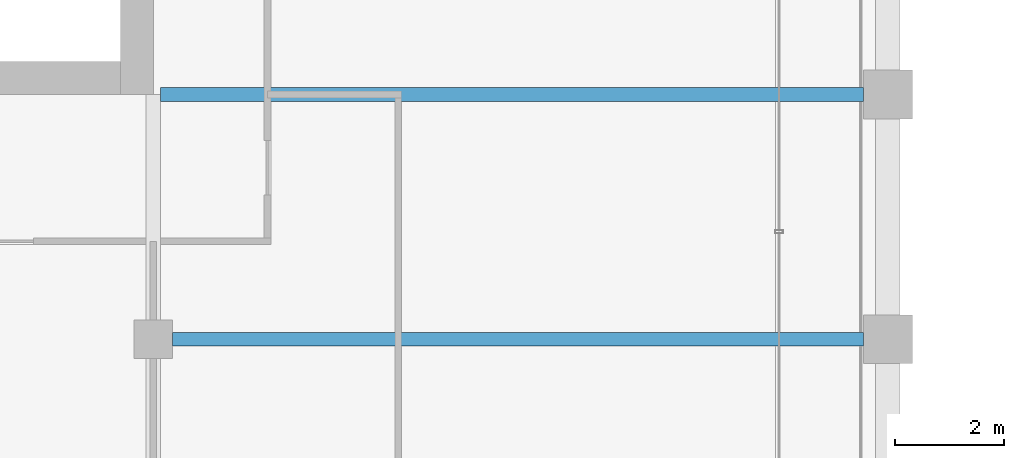
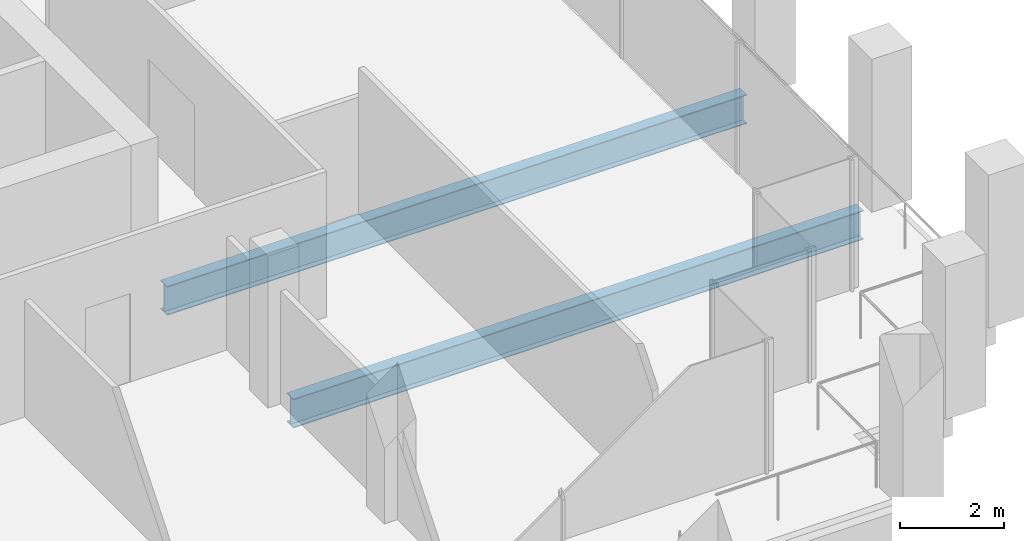
# One storey, part 14 of 40: 2 beams.
"""IFC4 building model written with IfcOpenShell, lengths in metres."""

from ifc_helpers import new_model, si_unit, direction, frame, origin, origin_2d, place, context, subcontext, project, spatial, i_section, extrude, material, material_profile, profile_set, type_object, element, save


model = new_model("IFC4")

# Units and contexts
model_context = context("Model", 3, precision=1e-05, world=origin(), true_north=direction((0.0, 1.0)))
body_context = subcontext(model_context, "Body", "Model", "MODEL_VIEW")
ifc_project = project(units=[si_unit("LENGTHUNIT", "METRE"), si_unit("AREAUNIT", "SQUARE_METRE"), si_unit("VOLUMEUNIT", "CUBIC_METRE"), si_unit("PLANEANGLEUNIT", "RADIAN"), si_unit("MASSUNIT", "GRAM", prefix="KILO")], contexts=[model_context])

# Site, building, storey
site_placement = place(None, origin())
site = spatial("IfcSite", under=ifc_project, at=site_placement, CompositionType="ELEMENT")
building_placement = place(site_placement, origin())
building = spatial("IfcBuilding", under=site, at=building_placement, Name="Altepetl Exchange Towers", CompositionType="ELEMENT")
storey_placement = place(building_placement, frame((0.0, 0.0, 169.0)))
storey = spatial("IfcBuildingStorey", under=building, at=storey_placement, Name="L42", CompositionType="ELEMENT", Elevation=169.0)

# Beams
ifc_material = material(Name="Steel S355", Category="steel")
ifc_material_profile = material_profile(ifc_material, i_section(OverallWidth=0.25390625, OverallDepth=0.68408203125, WebThickness=0.012451171875, FlangeThickness=0.018798828125, at=origin_2d()), Name="W27X94")
ifc_profile_set = profile_set([ifc_material_profile], Name="Steel S355")
beam_type = type_object("IfcBeamType", Name="Floor beam W27X94", PredefinedType="BEAM", material=ifc_profile_set)
beam_1_placement = place(storey_placement, frame((58.85009765625, 36.0, -0.491943359375), z_axis=(1.0, 0.0, 0.0), x_axis=(0.0, 1.0, 0.0)))
element("IfcBeam", 1, at=beam_1_placement, inside=storey, type_object=beam_type, Name="bm:A:L42:007", PredefinedType="BEAM", context=body_context, shape_type="SweptSolid", body=[
    extrude(i_section(OverallWidth=0.25390625, OverallDepth=0.68408203125, WebThickness=0.012451171875, FlangeThickness=0.018798828125, at=origin_2d()), origin(), (0.0, 0.0, 1.0), 12.699951171875),
])
beam_2_placement = place(storey_placement, frame((58.634033203125, 40.5, -0.491943359375), z_axis=(1.0, 0.0, 0.0), x_axis=(0.0, 1.0, 0.0)))
element("IfcBeam", 2, at=beam_2_placement, inside=storey, type_object=beam_type, Name="bm:A:L42:008", PredefinedType="BEAM", context=body_context, shape_type="SweptSolid", body=[
    extrude(i_section(OverallWidth=0.25390625, OverallDepth=0.68408203125, WebThickness=0.012451171875, FlangeThickness=0.018798828125, at=origin_2d()), origin(), (0.0, 0.0, 1.0), 12.916015625),
])

save(model, "model.ifc")
